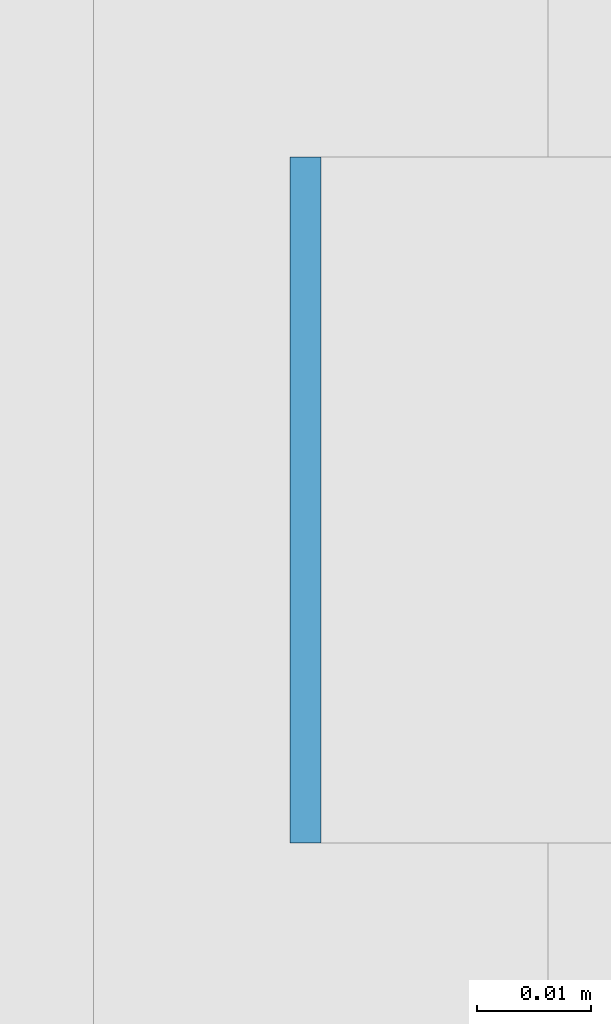
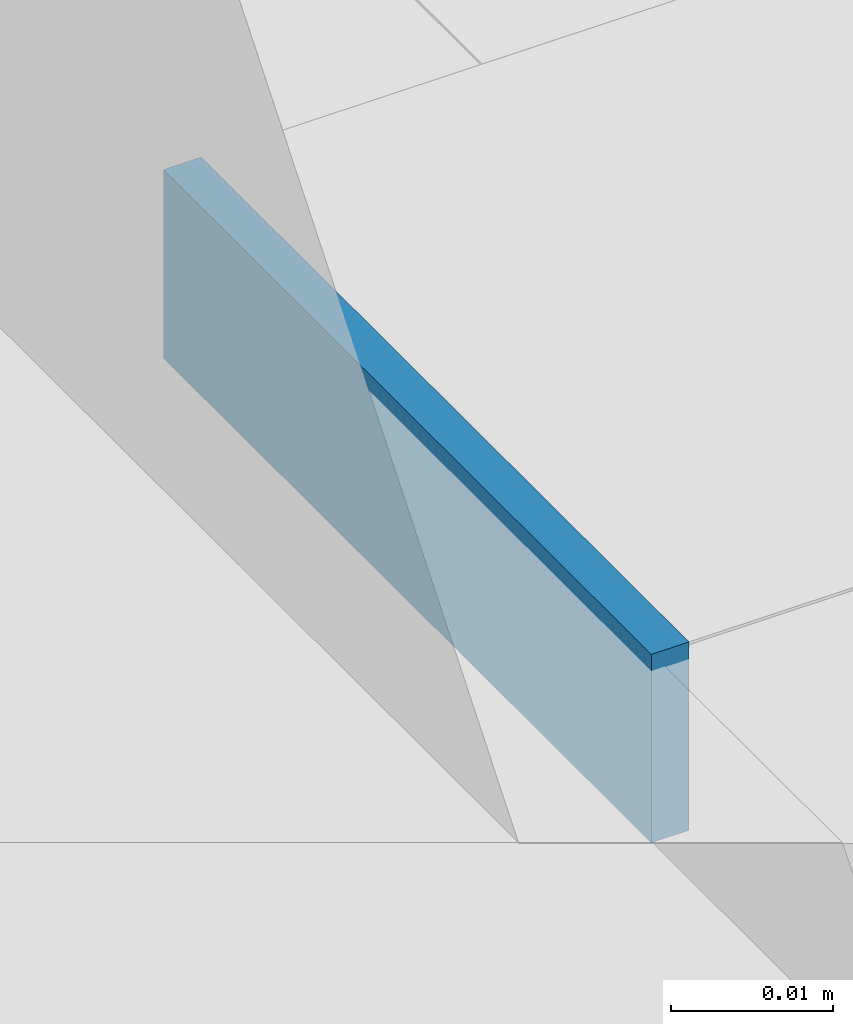
# One storey, part 561 of 646: 1 discrete accessory.
"""IFC4 building model written with IfcOpenShell, lengths in metres."""

from ifc_helpers import new_model, si_unit, direction, frame, origin, origin_2d, place, context, subcontext, project, spatial, rectangle, extrude, material, type_object, element, save


model = new_model("IFC4")

# Units and contexts
model_context = context("Model", 3, precision=1e-05, world=origin(), true_north=direction((0.0, 1.0)))
body_context = subcontext(model_context, "Body", "Model", "MODEL_VIEW")
ifc_project = project(units=[si_unit("LENGTHUNIT", "METRE"), si_unit("AREAUNIT", "SQUARE_METRE"), si_unit("VOLUMEUNIT", "CUBIC_METRE"), si_unit("PLANEANGLEUNIT", "RADIAN"), si_unit("MASSUNIT", "GRAM", prefix="KILO")], contexts=[model_context])

# Site, building, storey
site_placement = place(None, origin())
site = spatial("IfcSite", under=ifc_project, at=site_placement, CompositionType="ELEMENT")
building_placement = place(site_placement, origin())
building = spatial("IfcBuilding", under=site, at=building_placement, Name="Silverbay Arena", CompositionType="ELEMENT")
storey_placement = place(building_placement, frame((0.0, 0.0, 33.5)))
storey = spatial("IfcBuildingStorey", under=building, at=storey_placement, Name="L05", CompositionType="ELEMENT", Elevation=33.5)

# Discrete accessory
ifc_material = material(Name="Steel S355", Category="steel")
discrete_accessory_type = type_object("IfcDiscreteAccessoryType", Name="Steel bracket plate", PredefinedType="BRACKET", material=ifc_material)
discrete_accessory_placement = place(storey_placement, frame((207.128662109375, 101.571533203125, 12.98583984375), z_axis=(0.0, 0.0, 1.0), x_axis=(1.0, 0.0, 0.0)))
element("IfcDiscreteAccessory", 1, at=discrete_accessory_placement, inside=storey, type_object=discrete_accessory_type, Name="Curtain wall packing plate", PredefinedType="BRACKET", context=body_context, shape_type="SweptSolid", body=[
    extrude(rectangle(XDim=0.002685546875, YDim=0.06005859375, at=origin_2d()), origin(), (0.0, 0.0, 1.0), 0.01416015625),
])

save(model, "model.ifc")
